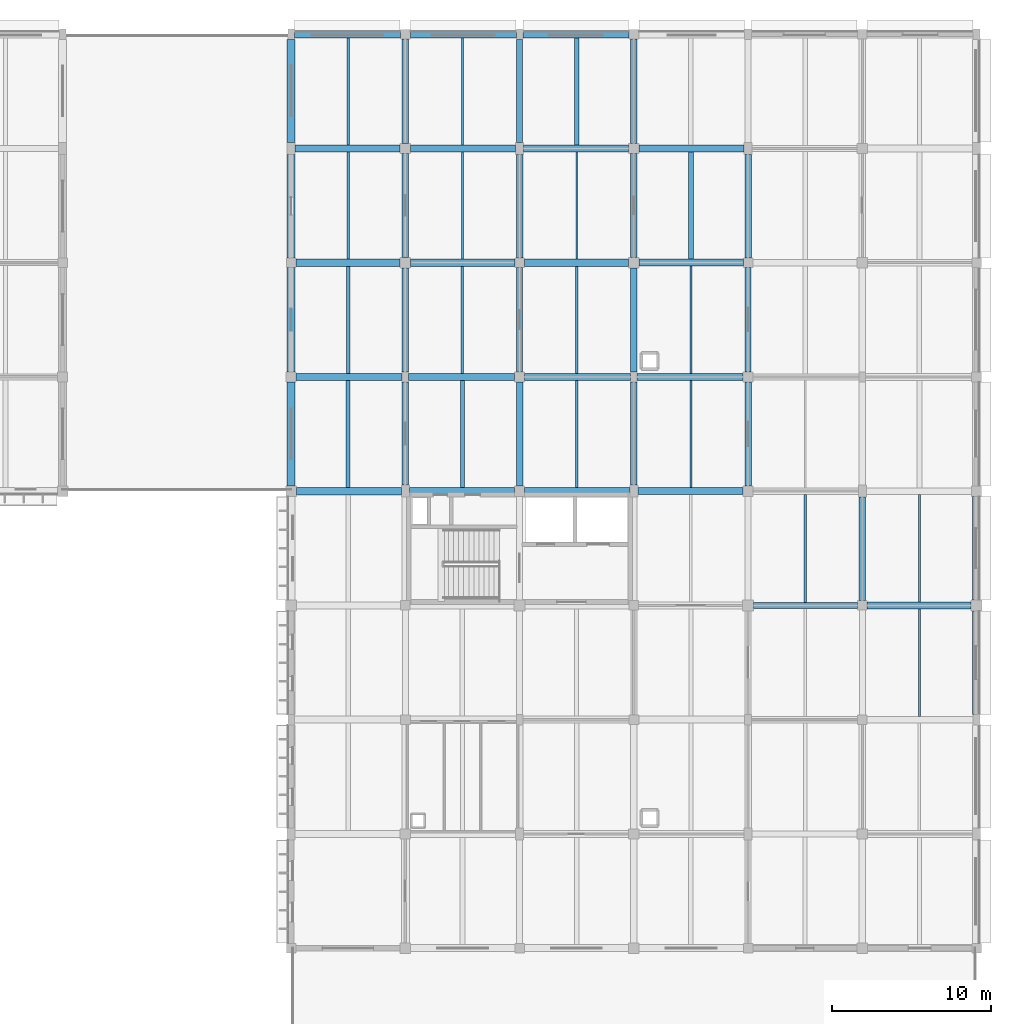
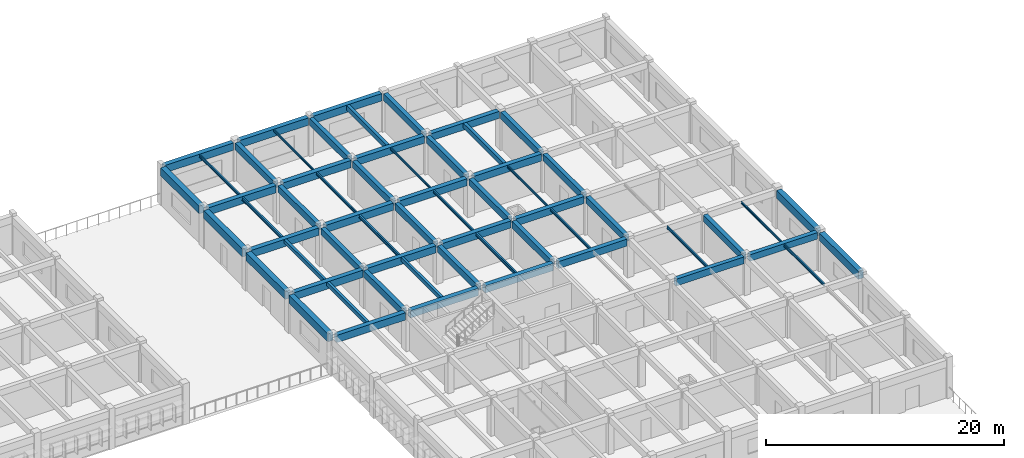
# One storey, part 64 of 103: 61 beams.
"""IFC4 building model written with IfcOpenShell, lengths in metres."""

from ifc_helpers import new_model, si_unit, direction, frame, origin, origin_2d, place, context, subcontext, project, spatial, rectangle, i_section, extrude, material, material_profile, profile_set, type_object, element, save


model = new_model("IFC4")

# Units and contexts
model_context = context("Model", 3, precision=1e-05, world=origin(), true_north=direction((0.0, 1.0)))
body_context = subcontext(model_context, "Body", "Model", "MODEL_VIEW")
ifc_project = project(units=[si_unit("LENGTHUNIT", "METRE"), si_unit("AREAUNIT", "SQUARE_METRE"), si_unit("VOLUMEUNIT", "CUBIC_METRE"), si_unit("PLANEANGLEUNIT", "RADIAN"), si_unit("MASSUNIT", "GRAM", prefix="KILO")], contexts=[model_context])

# Site, building, storey
site_placement = place(None, origin())
site = spatial("IfcSite", under=ifc_project, at=site_placement, CompositionType="ELEMENT")
building_placement = place(site_placement, origin())
building = spatial("IfcBuilding", under=site, at=building_placement, Name="Thalmaran Polytechnic", CompositionType="ELEMENT")
storey_placement = place(building_placement, frame((0.0, 0.0, 14.39990234375)))
storey = spatial("IfcBuildingStorey", under=building, at=storey_placement, Name="L03", CompositionType="ELEMENT", Elevation=14.39990234375)

# Beams
ifc_material_1 = material(Name="Concrete C40/50", Category="concrete")
ifc_material_profile_1 = material_profile(ifc_material_1, rectangle(XDim=0.449951171875, YDim=0.75, at=origin_2d()), Name="RC 450x750")
ifc_profile_set_1 = profile_set([ifc_material_profile_1], Name="Concrete C40/50")
beam_type_1 = type_object("IfcBeamType", Name="BM-RC03", PredefinedType="BEAM", material=ifc_profile_set_1)
beam_1_placement = place(storey_placement, frame((129.925048828125, 93.60009765625, 3.5400390625), z_axis=(1.0, 0.0, 0.0), x_axis=(0.0, 1.0, 0.0)))
element("IfcBeam", 1, at=beam_1_placement, inside=storey, type_object=beam_type_1, Name="Grid Beam B03 L03 X(18,13)", PredefinedType="BEAM", context=body_context, shape_type="SweptSolid", body=[
    extrude(rectangle(XDim=0.449951171875, YDim=0.75, at=origin_2d()), origin(), (0.0, 0.0, 1.0), 6.625),
])
beam_2_placement = place(storey_placement, frame((129.909912109375, 100.800048828125, 3.5400390625), z_axis=(1.0, 0.0, 0.0), x_axis=(0.0, 1.0, 0.0)))
element("IfcBeam", 2, at=beam_2_placement, inside=storey, type_object=beam_type_1, Name="Grid Beam B03 L03 X(18,14)", PredefinedType="BEAM", context=body_context, shape_type="SweptSolid", body=[
    extrude(rectangle(XDim=0.449951171875, YDim=0.75, at=origin_2d()), origin(), (0.0, 0.0, 1.0), 6.68017578125),
])
beam_3_placement = place(storey_placement, frame((129.89990234375, 108.0, 3.5400390625), z_axis=(1.0, 0.0, 0.0), x_axis=(0.0, 1.0, 0.0)))
element("IfcBeam", 3, at=beam_3_placement, inside=storey, type_object=beam_type_1, Name="Grid Beam B03 L03 X(18,15)", PredefinedType="BEAM", context=body_context, shape_type="SweptSolid", body=[
    extrude(rectangle(XDim=0.449951171875, YDim=0.75, at=origin_2d()), origin(), (0.0, 0.0, 1.0), 6.56005859375),
])
beam_4_placement = place(storey_placement, frame((129.85009765625, 115.199951171875, 3.5400390625), z_axis=(1.0, 0.0, 0.0), x_axis=(0.0, 1.0, 0.0)))
element("IfcBeam", 4, at=beam_4_placement, inside=storey, type_object=beam_type_1, Name="Grid Beam B03 L03 X(18,16)", PredefinedType="BEAM", context=body_context, shape_type="SweptSolid", body=[
    extrude(rectangle(XDim=0.449951171875, YDim=0.75, at=origin_2d()), origin(), (0.0, 0.0, 1.0), 6.625),
])
ifc_material_profile_2 = material_profile(ifc_material_1, rectangle(XDim=0.449951171875, YDim=0.72509765625, at=origin_2d()), Name="RC 450x725")
ifc_profile_set_2 = profile_set([ifc_material_profile_2], Name="Concrete C40/50")
beam_type_2 = type_object("IfcBeamType", Name="BM-RC04", PredefinedType="BEAM", material=ifc_profile_set_2)
beam_5_placement = place(storey_placement, frame((144.324951171875, 93.60009765625, 3.57763671875), z_axis=(1.0, 0.0, 0.0), x_axis=(0.0, 1.0, 0.0)))
element("IfcBeam", 5, at=beam_5_placement, inside=storey, type_object=beam_type_2, Name="Grid Beam B04 L03 X(20,13)", PredefinedType="BEAM", context=body_context, shape_type="SweptSolid", body=[
    extrude(rectangle(XDim=0.449951171875, YDim=0.72509765625, at=origin_2d()), origin(), (0.0, 0.0, 1.0), 6.625),
])
beam_6_placement = place(storey_placement, frame((144.31005859375, 100.800048828125, 3.57763671875), z_axis=(1.0, 0.0, 0.0), x_axis=(0.0, 1.0, 0.0)))
element("IfcBeam", 6, at=beam_6_placement, inside=storey, type_object=beam_type_2, Name="Grid Beam B04 L03 X(20,14)", PredefinedType="BEAM", context=body_context, shape_type="SweptSolid", body=[
    extrude(rectangle(XDim=0.449951171875, YDim=0.72509765625, at=origin_2d()), origin(), (0.0, 0.0, 1.0), 6.679931640625),
])
beam_7_placement = place(storey_placement, frame((144.300048828125, 108.0, 3.57763671875), z_axis=(1.0, 0.0, 0.0), x_axis=(0.0, 1.0, 0.0)))
element("IfcBeam", 7, at=beam_7_placement, inside=storey, type_object=beam_type_2, Name="Grid Beam B04 L03 X(20,15)", PredefinedType="BEAM", context=body_context, shape_type="SweptSolid", body=[
    extrude(rectangle(XDim=0.449951171875, YDim=0.72509765625, at=origin_2d()), origin(), (0.0, 0.0, 1.0), 6.56005859375),
])
beam_8_placement = place(storey_placement, frame((144.25, 115.199951171875, 3.57763671875), z_axis=(1.0, 0.0, 0.0), x_axis=(0.0, 1.0, 0.0)))
element("IfcBeam", 8, at=beam_8_placement, inside=storey, type_object=beam_type_2, Name="Grid Beam B04 L03 X(20,16)", PredefinedType="BEAM", context=body_context, shape_type="SweptSolid", body=[
    extrude(rectangle(XDim=0.449951171875, YDim=0.72509765625, at=origin_2d()), origin(), (0.0, 0.0, 1.0), 6.625),
])
ifc_material_profile_3 = material_profile(ifc_material_1, rectangle(XDim=0.39990234375, YDim=0.699951171875, at=origin_2d()), Name="RC 400x700")
ifc_profile_set_3 = profile_set([ifc_material_profile_3], Name="Concrete C40/50")
beam_type_3 = type_object("IfcBeamType", Name="BM-RC05", PredefinedType="BEAM", material=ifc_profile_set_3)
beam_9_placement = place(storey_placement, frame((158.739990234375, 86.39990234375, 3.590087890625), z_axis=(1.0, 0.0, 0.0), x_axis=(0.0, 1.0, 0.0)))
element("IfcBeam", 9, at=beam_9_placement, inside=storey, type_object=beam_type_3, Name="Grid Beam B05 L03 X(22,12)", PredefinedType="BEAM", context=body_context, shape_type="SweptSolid", body=[
    extrude(rectangle(XDim=0.39990234375, YDim=0.699951171875, at=origin_2d()), origin(), (0.0, 0.0, 1.0), 6.56005859375),
])
ifc_material_profile_4 = material_profile(ifc_material_1, rectangle(XDim=0.389892578125, YDim=0.68505859375, at=origin_2d()), Name="RC 390x685")
ifc_profile_set_4 = profile_set([ifc_material_profile_4], Name="Concrete C40/50")
beam_type_4 = type_object("IfcBeamType", Name="BM-RC08", PredefinedType="BEAM", material=ifc_profile_set_4)
beam_10_placement = place(storey_placement, frame((165.60009765625, 86.699951171875, 3.59765625), z_axis=(0.0, 1.0, 0.0), x_axis=(-1.0, 0.0, 0.0)))
element("IfcBeam", 10, at=beam_10_placement, inside=storey, type_object=beam_type_4, Name="Grid Beam B08 L03 Y(23,12)", PredefinedType="BEAM", context=body_context, shape_type="SweptSolid", body=[
    extrude(rectangle(XDim=0.389892578125, YDim=0.68505859375, at=origin_2d()), origin(), (0.0, 0.0, 1.0), 6.525146484375),
])
ifc_material_profile_5 = material_profile(ifc_material_1, rectangle(XDim=0.389892578125, YDim=0.68994140625, at=origin_2d()), Name="RC 390x690")
ifc_profile_set_5 = profile_set([ifc_material_profile_5], Name="Concrete C40/50")
beam_type_5 = type_object("IfcBeamType", Name="BM-RC09", PredefinedType="BEAM", material=ifc_profile_set_5)
beam_11_placement = place(storey_placement, frame((136.800048828125, 101.1201171875, 3.570068359375), z_axis=(0.0, 1.0, 0.0), x_axis=(-1.0, 0.0, 0.0)))
element("IfcBeam", 11, at=beam_11_placement, inside=storey, type_object=beam_type_5, Name="Grid Beam B09 L03 Y(19,14)", PredefinedType="BEAM", context=body_context, shape_type="SweptSolid", body=[
    extrude(rectangle(XDim=0.389892578125, YDim=0.68994140625, at=origin_2d()), origin(), (0.0, 0.0, 1.0), 6.539794921875),
])
beam_12_placement = place(storey_placement, frame((144.0, 101.110107421875, 3.59521484375), z_axis=(0.0, 1.0, 0.0), x_axis=(-1.0, 0.0, 0.0)))
element("IfcBeam", 12, at=beam_12_placement, inside=storey, type_object=beam_type_5, Name="Grid Beam B09 L03 Y(20,14)", PredefinedType="BEAM", context=body_context, shape_type="SweptSolid", body=[
    extrude(rectangle(XDim=0.389892578125, YDim=0.68994140625, at=origin_2d()), origin(), (0.0, 0.0, 1.0), 6.58984375),
])
beam_13_placement = place(storey_placement, frame((151.199951171875, 101.1201171875, 3.59521484375), z_axis=(0.0, 1.0, 0.0), x_axis=(-1.0, 0.0, 0.0)))
element("IfcBeam", 13, at=beam_13_placement, inside=storey, type_object=beam_type_5, Name="Grid Beam B09 L03 Y(21,14)", PredefinedType="BEAM", context=body_context, shape_type="SweptSolid", body=[
    extrude(rectangle(XDim=0.389892578125, YDim=0.68994140625, at=origin_2d()), origin(), (0.0, 0.0, 1.0), 6.539794921875),
])
beam_14_placement = place(storey_placement, frame((158.39990234375, 101.110107421875, 3.59521484375), z_axis=(0.0, 1.0, 0.0), x_axis=(-1.0, 0.0, 0.0)))
element("IfcBeam", 14, at=beam_14_placement, inside=storey, type_object=beam_type_5, Name="Grid Beam B09 L03 Y(22,14)", PredefinedType="BEAM", context=body_context, shape_type="SweptSolid", body=[
    extrude(rectangle(XDim=0.389892578125, YDim=0.68994140625, at=origin_2d()), origin(), (0.0, 0.0, 1.0), 6.58984375),
])
ifc_material_profile_6 = material_profile(ifc_material_1, rectangle(XDim=0.389892578125, YDim=0.695068359375, at=origin_2d()), Name="RC 390x695")
ifc_profile_set_6 = profile_set([ifc_material_profile_6], Name="Concrete C40/50")
beam_type_6 = type_object("IfcBeamType", Name="BM-RC10", PredefinedType="BEAM", material=ifc_profile_set_6)
beam_15_placement = place(storey_placement, frame((136.800048828125, 115.52490234375, 3.567626953125), z_axis=(0.0, 1.0, 0.0), x_axis=(-1.0, 0.0, 0.0)))
element("IfcBeam", 15, at=beam_15_placement, inside=storey, type_object=beam_type_6, Name="Grid Beam B10 L03 Y(19,16)", PredefinedType="BEAM", context=body_context, shape_type="SweptSolid", body=[
    extrude(rectangle(XDim=0.389892578125, YDim=0.695068359375, at=origin_2d()), origin(), (0.0, 0.0, 1.0), 6.565185546875),
])
beam_16_placement = place(storey_placement, frame((144.0, 115.574951171875, 3.592529296875), z_axis=(0.0, 1.0, 0.0), x_axis=(-1.0, 0.0, 0.0)))
element("IfcBeam", 16, at=beam_16_placement, inside=storey, type_object=beam_type_6, Name="Grid Beam B10 L03 Y(20,16)", PredefinedType="BEAM", context=body_context, shape_type="SweptSolid", body=[
    extrude(rectangle(XDim=0.389892578125, YDim=0.695068359375, at=origin_2d()), origin(), (0.0, 0.0, 1.0), 6.505126953125),
])
beam_17_placement = place(storey_placement, frame((151.199951171875, 115.52490234375, 3.592529296875), z_axis=(0.0, 1.0, 0.0), x_axis=(-1.0, 0.0, 0.0)))
element("IfcBeam", 17, at=beam_17_placement, inside=storey, type_object=beam_type_6, Name="Grid Beam B10 L03 Y(21,16)", PredefinedType="BEAM", context=body_context, shape_type="SweptSolid", body=[
    extrude(rectangle(XDim=0.389892578125, YDim=0.695068359375, at=origin_2d()), origin(), (0.0, 0.0, 1.0), 6.565185546875),
])
ifc_material_profile_7 = material_profile(ifc_material_1, rectangle(XDim=0.300048828125, YDim=0.5, at=origin_2d()), Name="RC 300x500")
ifc_profile_set_7 = profile_set([ifc_material_profile_7], Name="Concrete C40/50")
beam_type_7 = type_object("IfcBeamType", Name="BM-RC11", PredefinedType="JOIST", material=ifc_profile_set_7)
beam_18_placement = place(storey_placement, frame((147.60009765625, 115.425048828125, 3.690185546875), z_axis=(0.0, 1.0, 0.0), x_axis=(-1.0, 0.0, 0.0)))
element("IfcBeam", 18, at=beam_18_placement, inside=storey, type_object=beam_type_7, Name="Secondary Floor Rib RB01 L03 (20,16)", PredefinedType="JOIST", context=body_context, shape_type="SweptSolid", body=[
    extrude(rectangle(XDim=0.300048828125, YDim=0.5, at=origin_2d()), origin(), (0.0, 0.0, 1.0), 6.75),
])
beam_19_placement = place(storey_placement, frame((154.800048828125, 108.219970703125, 3.690185546875), z_axis=(0.0, 1.0, 0.0), x_axis=(-1.0, 0.0, 0.0)))
element("IfcBeam", 19, at=beam_19_placement, inside=storey, type_object=beam_type_7, Name="Secondary Floor Rib RB01 L03 (21,15)", PredefinedType="JOIST", context=body_context, shape_type="SweptSolid", body=[
    extrude(rectangle(XDim=0.300048828125, YDim=0.5, at=origin_2d()), origin(), (0.0, 0.0, 1.0), 6.760009765625),
])
ifc_material_2 = material(Name="Steel S355", Category="steel")
ifc_material_profile_8 = material_profile(ifc_material_2, i_section(OverallWidth=0.159912109375, OverallDepth=0.330078125, WebThickness=0.007568359375, FlangeThickness=0.011474609375, at=origin_2d()), Name="IPE 330")
ifc_profile_set_8 = profile_set([ifc_material_profile_8], Name="Steel S355")
beam_type_8 = type_object("IfcBeamType", Name="BM-SJ02", PredefinedType="JOIST", material=ifc_profile_set_8)
beam_20_placement = place(storey_placement, frame((133.199951171875, 108.22509765625, 3.75), z_axis=(0.0, 1.0, 0.0), x_axis=(-1.0, 0.0, 0.0)))
element("IfcBeam", 20, at=beam_20_placement, inside=storey, type_object=beam_type_8, Name="Secondary Floor Rib SJ02 L03 (18,15)", PredefinedType="JOIST", context=body_context, shape_type="SweptSolid", body=[
    extrude(i_section(OverallWidth=0.159912109375, OverallDepth=0.330078125, WebThickness=0.007568359375, FlangeThickness=0.011474609375, at=origin_2d()), origin(), (0.0, 0.0, 1.0), 6.75),
])
beam_21_placement = place(storey_placement, frame((140.39990234375, 101.030029296875, 3.775146484375), z_axis=(0.0, 1.0, 0.0), x_axis=(-1.0, 0.0, 0.0)))
element("IfcBeam", 21, at=beam_21_placement, inside=storey, type_object=beam_type_8, Name="Secondary Floor Rib SJ02 L03 (19,14)", PredefinedType="JOIST", context=body_context, shape_type="SweptSolid", body=[
    extrude(i_section(OverallWidth=0.159912109375, OverallDepth=0.330078125, WebThickness=0.007568359375, FlangeThickness=0.011474609375, at=origin_2d()), origin(), (0.0, 0.0, 1.0), 6.739990234375),
])
beam_22_placement = place(storey_placement, frame((147.60009765625, 93.824951171875, 3.775146484375), z_axis=(0.0, 1.0, 0.0), x_axis=(-1.0, 0.0, 0.0)))
element("IfcBeam", 22, at=beam_22_placement, inside=storey, type_object=beam_type_8, Name="Secondary Floor Rib SJ02 L03 (20,13)", PredefinedType="JOIST", context=body_context, shape_type="SweptSolid", body=[
    extrude(i_section(OverallWidth=0.159912109375, OverallDepth=0.330078125, WebThickness=0.007568359375, FlangeThickness=0.011474609375, at=origin_2d()), origin(), (0.0, 0.0, 1.0), 6.75),
])
ifc_material_profile_9 = material_profile(ifc_material_2, i_section(OverallWidth=0.135009765625, OverallDepth=0.27001953125, WebThickness=0.006591796875, FlangeThickness=0.01025390625, at=origin_2d()), Name="IPE 270")
ifc_profile_set_9 = profile_set([ifc_material_profile_9], Name="Steel S355")
beam_type_9 = type_object("IfcBeamType", Name="BM-SJ03", PredefinedType="JOIST", material=ifc_profile_set_9)
beam_23_placement = place(storey_placement, frame((133.199951171875, 115.425048828125, 3.780029296875), z_axis=(0.0, 1.0, 0.0), x_axis=(-1.0, 0.0, 0.0)))
element("IfcBeam", 23, at=beam_23_placement, inside=storey, type_object=beam_type_9, Name="Secondary Floor Rib SJ03 L03 (18,16)", PredefinedType="JOIST", context=body_context, shape_type="SweptSolid", body=[
    extrude(i_section(OverallWidth=0.135009765625, OverallDepth=0.27001953125, WebThickness=0.006591796875, FlangeThickness=0.01025390625, at=origin_2d()), origin(), (0.0, 0.0, 1.0), 6.75),
])
beam_24_placement = place(storey_placement, frame((140.39990234375, 108.22998046875, 3.80517578125), z_axis=(0.0, 1.0, 0.0), x_axis=(-1.0, 0.0, 0.0)))
element("IfcBeam", 24, at=beam_24_placement, inside=storey, type_object=beam_type_9, Name="Secondary Floor Rib SJ03 L03 (19,15)", PredefinedType="JOIST", context=body_context, shape_type="SweptSolid", body=[
    extrude(i_section(OverallWidth=0.135009765625, OverallDepth=0.27001953125, WebThickness=0.006591796875, FlangeThickness=0.01025390625, at=origin_2d()), origin(), (0.0, 0.0, 1.0), 6.739990234375),
])
beam_25_placement = place(storey_placement, frame((147.60009765625, 101.02490234375, 3.80517578125), z_axis=(0.0, 1.0, 0.0), x_axis=(-1.0, 0.0, 0.0)))
element("IfcBeam", 25, at=beam_25_placement, inside=storey, type_object=beam_type_9, Name="Secondary Floor Rib SJ03 L03 (20,14)", PredefinedType="JOIST", context=body_context, shape_type="SweptSolid", body=[
    extrude(i_section(OverallWidth=0.135009765625, OverallDepth=0.27001953125, WebThickness=0.006591796875, FlangeThickness=0.01025390625, at=origin_2d()), origin(), (0.0, 0.0, 1.0), 6.75),
])
beam_26_placement = place(storey_placement, frame((154.800048828125, 93.820068359375, 3.80517578125), z_axis=(0.0, 1.0, 0.0), x_axis=(-1.0, 0.0, 0.0)))
element("IfcBeam", 26, at=beam_26_placement, inside=storey, type_object=beam_type_9, Name="Secondary Floor Rib SJ03 L03 (21,13)", PredefinedType="JOIST", context=body_context, shape_type="SweptSolid", body=[
    extrude(i_section(OverallWidth=0.135009765625, OverallDepth=0.27001953125, WebThickness=0.006591796875, FlangeThickness=0.01025390625, at=origin_2d()), origin(), (0.0, 0.0, 1.0), 6.760009765625),
])
beam_27_placement = place(storey_placement, frame((162.0, 86.60009765625, 3.80517578125), z_axis=(0.0, 1.0, 0.0), x_axis=(-1.0, 0.0, 0.0)))
element("IfcBeam", 27, at=beam_27_placement, inside=storey, type_object=beam_type_9, Name="Secondary Floor Rib SJ03 L03 (22,12)", PredefinedType="JOIST", context=body_context, shape_type="SweptSolid", body=[
    extrude(i_section(OverallWidth=0.135009765625, OverallDepth=0.27001953125, WebThickness=0.006591796875, FlangeThickness=0.01025390625, at=origin_2d()), origin(), (0.0, 0.0, 1.0), 6.7998046875),
])
beam_28_placement = place(storey_placement, frame((169.199951171875, 79.409912109375, 3.80517578125), z_axis=(0.0, 1.0, 0.0), x_axis=(-1.0, 0.0, 0.0)))
element("IfcBeam", 28, at=beam_28_placement, inside=storey, type_object=beam_type_9, Name="Secondary Floor Rib SJ03 L03 (23,11)", PredefinedType="JOIST", context=body_context, shape_type="SweptSolid", body=[
    extrude(i_section(OverallWidth=0.135009765625, OverallDepth=0.27001953125, WebThickness=0.006591796875, FlangeThickness=0.01025390625, at=origin_2d()), origin(), (0.0, 0.0, 1.0), 6.780029296875),
])
ifc_material_profile_10 = material_profile(ifc_material_2, i_section(OverallWidth=0.110107421875, OverallDepth=0.219970703125, WebThickness=0.005859375, FlangeThickness=0.00927734375, at=origin_2d()), Name="IPE 220")
ifc_profile_set_10 = profile_set([ifc_material_profile_10], Name="Steel S355")
beam_type_10 = type_object("IfcBeamType", Name="BM-SJ04", PredefinedType="JOIST", material=ifc_profile_set_10)
beam_29_placement = place(storey_placement, frame((140.39990234375, 115.429931640625, 3.830078125), z_axis=(0.0, 1.0, 0.0), x_axis=(-1.0, 0.0, 0.0)))
element("IfcBeam", 29, at=beam_29_placement, inside=storey, type_object=beam_type_10, Name="Secondary Floor Rib SJ04 L03 (19,16)", PredefinedType="JOIST", context=body_context, shape_type="SweptSolid", body=[
    extrude(i_section(OverallWidth=0.110107421875, OverallDepth=0.219970703125, WebThickness=0.005859375, FlangeThickness=0.00927734375, at=origin_2d()), origin(), (0.0, 0.0, 1.0), 6.7451171875),
])
beam_30_placement = place(storey_placement, frame((147.60009765625, 108.22509765625, 3.830078125), z_axis=(0.0, 1.0, 0.0), x_axis=(-1.0, 0.0, 0.0)))
element("IfcBeam", 30, at=beam_30_placement, inside=storey, type_object=beam_type_10, Name="Secondary Floor Rib SJ04 L03 (20,15)", PredefinedType="JOIST", context=body_context, shape_type="SweptSolid", body=[
    extrude(i_section(OverallWidth=0.110107421875, OverallDepth=0.219970703125, WebThickness=0.005859375, FlangeThickness=0.00927734375, at=origin_2d()), origin(), (0.0, 0.0, 1.0), 6.75),
])
beam_31_placement = place(storey_placement, frame((154.800048828125, 101.02001953125, 3.830078125), z_axis=(0.0, 1.0, 0.0), x_axis=(-1.0, 0.0, 0.0)))
element("IfcBeam", 31, at=beam_31_placement, inside=storey, type_object=beam_type_10, Name="Secondary Floor Rib SJ04 L03 (21,14)", PredefinedType="JOIST", context=body_context, shape_type="SweptSolid", body=[
    extrude(i_section(OverallWidth=0.110107421875, OverallDepth=0.219970703125, WebThickness=0.005859375, FlangeThickness=0.00927734375, at=origin_2d()), origin(), (0.0, 0.0, 1.0), 6.760009765625),
])
beam_32_placement = place(storey_placement, frame((169.199951171875, 86.610107421875, 3.830078125), z_axis=(0.0, 1.0, 0.0), x_axis=(-1.0, 0.0, 0.0)))
element("IfcBeam", 32, at=beam_32_placement, inside=storey, type_object=beam_type_10, Name="Secondary Floor Rib SJ04 L03 (23,12)", PredefinedType="JOIST", context=body_context, shape_type="SweptSolid", body=[
    extrude(i_section(OverallWidth=0.110107421875, OverallDepth=0.219970703125, WebThickness=0.005859375, FlangeThickness=0.00927734375, at=origin_2d()), origin(), (0.0, 0.0, 1.0), 6.77978515625),
])
ifc_material_profile_11 = material_profile(ifc_material_1, rectangle(XDim=0.449951171875, YDim=0.7548828125, at=origin_2d()), Name="RC 450x755")
ifc_profile_set_11 = profile_set([ifc_material_profile_11], Name="Concrete C40/50")
beam_type_11 = type_object("IfcBeamType", Name="BM-SP02", PredefinedType="SPANDREL", material=ifc_profile_set_11)
for number, where, z_axis, x_axis, name in (
    (33, (129.81005859375, 122.39990234375, 3.53759765625), (1.0, 0.0, 0.0), (0.0, 1.0, 0.0), "Grid Beam SP02 L03 X(18,17)"),
    (34, (137.110107421875, 122.39990234375, 3.5625), (1.0, 0.0, 0.0), (0.0, 1.0, 0.0), "Grid Beam SP02 L03 X(19,17)"),
    (35, (144.2099609375, 122.39990234375, 3.5625), (1.0, 0.0, 0.0), (0.0, 1.0, 0.0), "Grid Beam SP02 L03 X(20,17)"),
):
    element("IfcBeam", number, at=place(storey_placement, frame(where, z_axis=z_axis, x_axis=x_axis)), inside=storey, type_object=beam_type_11, Name=name, PredefinedType="SPANDREL", context=body_context, shape_type="SweptSolid", body=[
        extrude(rectangle(XDim=0.449951171875, YDim=0.7548828125, at=origin_2d()), origin(), (0.0, 0.0, 1.0), 6.679931640625),
    ])
ifc_material_profile_12 = material_profile(ifc_material_1, rectangle(XDim=0.5, YDim=0.804931640625, at=origin_2d()), Name="RC 500x805")
ifc_profile_set_12 = profile_set([ifc_material_profile_12], Name="Concrete C40/50")
beam_type_12 = type_object("IfcBeamType", Name="BM-SP03", PredefinedType="SPANDREL", material=ifc_profile_set_12)
beam_33_placement = place(storey_placement, frame((129.60009765625, 93.925048828125, 3.5126953125), z_axis=(0.0, 1.0, 0.0), x_axis=(-1.0, 0.0, 0.0)))
element("IfcBeam", 36, at=beam_33_placement, inside=storey, type_object=beam_type_12, Name="Grid Beam SP03 L03 Y(18,13)", PredefinedType="SPANDREL", context=body_context, shape_type="SweptSolid", body=[
    extrude(rectangle(XDim=0.5, YDim=0.804931640625, at=origin_2d()), origin(), (0.0, 0.0, 1.0), 6.56494140625),
])
beam_34_placement = place(storey_placement, frame((129.60009765625, 101.110107421875, 3.5126953125), z_axis=(0.0, 1.0, 0.0), x_axis=(-1.0, 0.0, 0.0)))
element("IfcBeam", 37, at=beam_34_placement, inside=storey, type_object=beam_type_12, Name="Grid Beam SP03 L03 Y(18,14)", PredefinedType="SPANDREL", context=body_context, shape_type="SweptSolid", body=[
    extrude(rectangle(XDim=0.5, YDim=0.804931640625, at=origin_2d()), origin(), (0.0, 0.0, 1.0), 6.58984375),
])
beam_35_placement = place(storey_placement, frame((129.60009765625, 108.300048828125, 3.5126953125), z_axis=(0.0, 1.0, 0.0), x_axis=(-1.0, 0.0, 0.0)))
element("IfcBeam", 38, at=beam_35_placement, inside=storey, type_object=beam_type_12, Name="Grid Beam SP03 L03 Y(18,15)", PredefinedType="SPANDREL", context=body_context, shape_type="SweptSolid", body=[
    extrude(rectangle(XDim=0.5, YDim=0.804931640625, at=origin_2d()), origin(), (0.0, 0.0, 1.0), 6.52490234375),
])
beam_36_placement = place(storey_placement, frame((129.60009765625, 115.574951171875, 3.5126953125), z_axis=(0.0, 1.0, 0.0), x_axis=(-1.0, 0.0, 0.0)))
element("IfcBeam", 39, at=beam_36_placement, inside=storey, type_object=beam_type_12, Name="Grid Beam SP03 L03 Y(18,16)", PredefinedType="SPANDREL", context=body_context, shape_type="SweptSolid", body=[
    extrude(rectangle(XDim=0.5, YDim=0.804931640625, at=origin_2d()), origin(), (0.0, 0.0, 1.0), 6.505126953125),
])
beam_37_placement = place(storey_placement, frame((172.800048828125, 79.52001953125, 3.53759765625), z_axis=(0.0, 1.0, 0.0), x_axis=(-1.0, 0.0, 0.0)))
element("IfcBeam", 40, at=beam_37_placement, inside=storey, type_object=beam_type_12, Name="Grid Beam SP03 L03 Y(24,11)", PredefinedType="SPANDREL", context=body_context, shape_type="SweptSolid", body=[
    extrude(rectangle(XDim=0.5, YDim=0.804931640625, at=origin_2d()), origin(), (0.0, 0.0, 1.0), 6.5400390625),
])
beam_38_placement = place(storey_placement, frame((172.800048828125, 86.739990234375, 3.53759765625), z_axis=(0.0, 1.0, 0.0), x_axis=(-1.0, 0.0, 0.0)))
element("IfcBeam", 41, at=beam_38_placement, inside=storey, type_object=beam_type_12, Name="Grid Beam SP03 L03 Y(24,12)", PredefinedType="SPANDREL", context=body_context, shape_type="SweptSolid", body=[
    extrude(rectangle(XDim=0.5, YDim=0.804931640625, at=origin_2d()), origin(), (0.0, 0.0, 1.0), 6.534912109375),
])
ifc_material_profile_13 = material_profile(ifc_material_1, rectangle(XDim=0.4599609375, YDim=0.739990234375, at=origin_2d()), Name="RC 460x740")
ifc_profile_set_13 = profile_set([ifc_material_profile_13], Name="Concrete C40/50")
beam_type_13 = type_object("IfcBeamType", Name="BM-ZB02", PredefinedType="BEAM", material=ifc_profile_set_13)
beam_39_placement = place(storey_placement, frame((137.050048828125, 93.60009765625, 3.570068359375), z_axis=(1.0, 0.0, 0.0), x_axis=(0.0, 1.0, 0.0)))
element("IfcBeam", 42, at=beam_39_placement, inside=storey, type_object=beam_type_13, Name="Grid Beam ZB02 L03 X(19,13)", PredefinedType="BEAM", context=body_context, shape_type="SweptSolid", body=[
    extrude(rectangle(XDim=0.4599609375, YDim=0.739990234375, at=origin_2d()), origin(), (0.0, 0.0, 1.0), 6.625),
])
beam_40_placement = place(storey_placement, frame((137.010009765625, 100.800048828125, 3.570068359375), z_axis=(1.0, 0.0, 0.0), x_axis=(0.0, 1.0, 0.0)))
element("IfcBeam", 43, at=beam_40_placement, inside=storey, type_object=beam_type_13, Name="Grid Beam ZB02 L03 X(19,14)", PredefinedType="BEAM", context=body_context, shape_type="SweptSolid", body=[
    extrude(rectangle(XDim=0.4599609375, YDim=0.739990234375, at=origin_2d()), origin(), (0.0, 0.0, 1.0), 6.679931640625),
])
beam_41_placement = place(storey_placement, frame((137.139892578125, 108.0, 3.570068359375), z_axis=(1.0, 0.0, 0.0), x_axis=(0.0, 1.0, 0.0)))
element("IfcBeam", 44, at=beam_41_placement, inside=storey, type_object=beam_type_13, Name="Grid Beam ZB02 L03 X(19,15)", PredefinedType="BEAM", context=body_context, shape_type="SweptSolid", body=[
    extrude(rectangle(XDim=0.4599609375, YDim=0.739990234375, at=origin_2d()), origin(), (0.0, 0.0, 1.0), 6.56005859375),
])
beam_42_placement = place(storey_placement, frame((137.125, 115.199951171875, 3.570068359375), z_axis=(1.0, 0.0, 0.0), x_axis=(0.0, 1.0, 0.0)))
element("IfcBeam", 45, at=beam_42_placement, inside=storey, type_object=beam_type_13, Name="Grid Beam ZB02 L03 X(19,16)", PredefinedType="BEAM", context=body_context, shape_type="SweptSolid", body=[
    extrude(rectangle(XDim=0.4599609375, YDim=0.739990234375, at=origin_2d()), origin(), (0.0, 0.0, 1.0), 6.625),
])
ifc_material_profile_14 = material_profile(ifc_material_1, rectangle(XDim=0.43994140625, YDim=0.719970703125, at=origin_2d()), Name="RC 440x720")
ifc_profile_set_14 = profile_set([ifc_material_profile_14], Name="Concrete C40/50")
beam_type_14 = type_object("IfcBeamType", Name="BM-ZB03", PredefinedType="BEAM", material=ifc_profile_set_14)
beam_43_placement = place(storey_placement, frame((151.449951171875, 93.60009765625, 3.580078125), z_axis=(1.0, 0.0, 0.0), x_axis=(0.0, 1.0, 0.0)))
element("IfcBeam", 46, at=beam_43_placement, inside=storey, type_object=beam_type_14, Name="Grid Beam ZB03 L03 X(21,13)", PredefinedType="BEAM", context=body_context, shape_type="SweptSolid", body=[
    extrude(rectangle(XDim=0.43994140625, YDim=0.719970703125, at=origin_2d()), origin(), (0.0, 0.0, 1.0), 6.625),
])
beam_44_placement = place(storey_placement, frame((151.409912109375, 100.800048828125, 3.580078125), z_axis=(1.0, 0.0, 0.0), x_axis=(0.0, 1.0, 0.0)))
element("IfcBeam", 47, at=beam_44_placement, inside=storey, type_object=beam_type_14, Name="Grid Beam ZB03 L03 X(21,14)", PredefinedType="BEAM", context=body_context, shape_type="SweptSolid", body=[
    extrude(rectangle(XDim=0.43994140625, YDim=0.719970703125, at=origin_2d()), origin(), (0.0, 0.0, 1.0), 6.68017578125),
])
beam_45_placement = place(storey_placement, frame((151.5400390625, 108.0, 3.580078125), z_axis=(1.0, 0.0, 0.0), x_axis=(0.0, 1.0, 0.0)))
element("IfcBeam", 48, at=beam_45_placement, inside=storey, type_object=beam_type_14, Name="Grid Beam ZB03 L03 X(21,15)", PredefinedType="BEAM", context=body_context, shape_type="SweptSolid", body=[
    extrude(rectangle(XDim=0.43994140625, YDim=0.719970703125, at=origin_2d()), origin(), (0.0, 0.0, 1.0), 6.56005859375),
])
beam_46_placement = place(storey_placement, frame((151.52490234375, 115.199951171875, 3.580078125), z_axis=(1.0, 0.0, 0.0), x_axis=(0.0, 1.0, 0.0)))
element("IfcBeam", 49, at=beam_46_placement, inside=storey, type_object=beam_type_14, Name="Grid Beam ZB03 L03 X(21,16)", PredefinedType="BEAM", context=body_context, shape_type="SweptSolid", body=[
    extrude(rectangle(XDim=0.43994140625, YDim=0.719970703125, at=origin_2d()), origin(), (0.0, 0.0, 1.0), 6.625),
])
ifc_material_profile_15 = material_profile(ifc_material_1, rectangle(XDim=0.419921875, YDim=0.659912109375, at=origin_2d()), Name="RC 420x660")
ifc_profile_set_15 = profile_set([ifc_material_profile_15], Name="Concrete C40/50")
beam_type_15 = type_object("IfcBeamType", Name="BM-ZB04", PredefinedType="BEAM", material=ifc_profile_set_15)
beam_47_placement = place(storey_placement, frame((165.89990234375, 86.39990234375, 3.610107421875), z_axis=(1.0, 0.0, 0.0), x_axis=(0.0, 1.0, 0.0)))
element("IfcBeam", 50, at=beam_47_placement, inside=storey, type_object=beam_type_15, Name="Grid Beam ZB04 L03 X(23,12)", PredefinedType="BEAM", context=body_context, shape_type="SweptSolid", body=[
    extrude(rectangle(XDim=0.419921875, YDim=0.659912109375, at=origin_2d()), origin(), (0.0, 0.0, 1.0), 6.56005859375),
])
ifc_material_profile_16 = material_profile(ifc_material_1, rectangle(XDim=0.39990234375, YDim=0.68505859375, at=origin_2d()), Name="RC 400x685")
ifc_profile_set_16 = profile_set([ifc_material_profile_16], Name="Concrete C40/50")
beam_type_16 = type_object("IfcBeamType", Name="BM-ZB07", PredefinedType="BEAM", material=ifc_profile_set_16)
beam_48_placement = place(storey_placement, frame((136.800048828125, 93.97509765625, 3.572509765625), z_axis=(0.0, 1.0, 0.0), x_axis=(-1.0, 0.0, 0.0)))
element("IfcBeam", 51, at=beam_48_placement, inside=storey, type_object=beam_type_16, Name="Grid Beam ZB07 L03 Y(19,13)", PredefinedType="BEAM", context=body_context, shape_type="SweptSolid", body=[
    extrude(rectangle(XDim=0.39990234375, YDim=0.68505859375, at=origin_2d()), origin(), (0.0, 0.0, 1.0), 6.5048828125),
])
beam_49_placement = place(storey_placement, frame((144.0, 93.925048828125, 3.59765625), z_axis=(0.0, 1.0, 0.0), x_axis=(-1.0, 0.0, 0.0)))
element("IfcBeam", 52, at=beam_49_placement, inside=storey, type_object=beam_type_16, Name="Grid Beam ZB07 L03 Y(20,13)", PredefinedType="BEAM", context=body_context, shape_type="SweptSolid", body=[
    extrude(rectangle(XDim=0.39990234375, YDim=0.68505859375, at=origin_2d()), origin(), (0.0, 0.0, 1.0), 6.56494140625),
])
beam_50_placement = place(storey_placement, frame((151.199951171875, 93.97509765625, 3.59765625), z_axis=(0.0, 1.0, 0.0), x_axis=(-1.0, 0.0, 0.0)))
element("IfcBeam", 53, at=beam_50_placement, inside=storey, type_object=beam_type_16, Name="Grid Beam ZB07 L03 Y(21,13)", PredefinedType="BEAM", context=body_context, shape_type="SweptSolid", body=[
    extrude(rectangle(XDim=0.39990234375, YDim=0.68505859375, at=origin_2d()), origin(), (0.0, 0.0, 1.0), 6.5048828125),
])
beam_51_placement = place(storey_placement, frame((158.39990234375, 93.925048828125, 3.59765625), z_axis=(0.0, 1.0, 0.0), x_axis=(-1.0, 0.0, 0.0)))
element("IfcBeam", 54, at=beam_51_placement, inside=storey, type_object=beam_type_16, Name="Grid Beam ZB07 L03 Y(22,13)", PredefinedType="BEAM", context=body_context, shape_type="SweptSolid", body=[
    extrude(rectangle(XDim=0.39990234375, YDim=0.68505859375, at=origin_2d()), origin(), (0.0, 0.0, 1.0), 6.56494140625),
])
ifc_material_profile_17 = material_profile(ifc_material_1, rectangle(XDim=0.39990234375, YDim=0.695068359375, at=origin_2d()), Name="RC 400x695")
ifc_profile_set_17 = profile_set([ifc_material_profile_17], Name="Concrete C40/50")
beam_type_17 = type_object("IfcBeamType", Name="BM-ZB08", PredefinedType="BEAM", material=ifc_profile_set_17)
beam_52_placement = place(storey_placement, frame((136.800048828125, 108.340087890625, 3.567626953125), z_axis=(0.0, 1.0, 0.0), x_axis=(-1.0, 0.0, 0.0)))
element("IfcBeam", 55, at=beam_52_placement, inside=storey, type_object=beam_type_17, Name="Grid Beam ZB08 L03 Y(19,15)", PredefinedType="BEAM", context=body_context, shape_type="SweptSolid", body=[
    extrude(rectangle(XDim=0.39990234375, YDim=0.695068359375, at=origin_2d()), origin(), (0.0, 0.0, 1.0), 6.534912109375),
])
beam_53_placement = place(storey_placement, frame((144.0, 108.300048828125, 3.592529296875), z_axis=(0.0, 1.0, 0.0), x_axis=(-1.0, 0.0, 0.0)))
element("IfcBeam", 56, at=beam_53_placement, inside=storey, type_object=beam_type_17, Name="Grid Beam ZB08 L03 Y(20,15)", PredefinedType="BEAM", context=body_context, shape_type="SweptSolid", body=[
    extrude(rectangle(XDim=0.39990234375, YDim=0.695068359375, at=origin_2d()), origin(), (0.0, 0.0, 1.0), 6.52490234375),
])
beam_54_placement = place(storey_placement, frame((151.199951171875, 108.340087890625, 3.592529296875), z_axis=(0.0, 1.0, 0.0), x_axis=(-1.0, 0.0, 0.0)))
element("IfcBeam", 57, at=beam_54_placement, inside=storey, type_object=beam_type_17, Name="Grid Beam ZB08 L03 Y(21,15)", PredefinedType="BEAM", context=body_context, shape_type="SweptSolid", body=[
    extrude(rectangle(XDim=0.39990234375, YDim=0.695068359375, at=origin_2d()), origin(), (0.0, 0.0, 1.0), 6.534912109375),
])
beam_55_placement = place(storey_placement, frame((158.39990234375, 108.300048828125, 3.592529296875), z_axis=(0.0, 1.0, 0.0), x_axis=(-1.0, 0.0, 0.0)))
element("IfcBeam", 58, at=beam_55_placement, inside=storey, type_object=beam_type_17, Name="Grid Beam ZB08 L03 Y(22,15)", PredefinedType="BEAM", context=body_context, shape_type="SweptSolid", body=[
    extrude(rectangle(XDim=0.39990234375, YDim=0.695068359375, at=origin_2d()), origin(), (0.0, 0.0, 1.0), 6.52490234375),
])
ifc_material_profile_18 = material_profile(ifc_material_1, rectangle(XDim=0.25, YDim=0.419921875, at=origin_2d()), Name="RC 250x420")
ifc_profile_set_18 = profile_set([ifc_material_profile_18], Name="Concrete C40/50")
beam_type_18 = type_object("IfcBeamType", Name="BM-ZJ03", PredefinedType="JOIST", material=ifc_profile_set_18)
beam_56_placement = place(storey_placement, frame((133.199951171875, 93.824951171875, 3.705078125), z_axis=(0.0, 1.0, 0.0), x_axis=(-1.0, 0.0, 0.0)))
element("IfcBeam", 59, at=beam_56_placement, inside=storey, type_object=beam_type_18, Name="Secondary Floor Rib ZJ03 L03 (18,13)", PredefinedType="JOIST", context=body_context, shape_type="SweptSolid", body=[
    extrude(rectangle(XDim=0.25, YDim=0.419921875, at=origin_2d()), origin(), (0.0, 0.0, 1.0), 6.75),
])
ifc_material_profile_19 = material_profile(ifc_material_1, rectangle(XDim=0.239990234375, YDim=0.39990234375, at=origin_2d()), Name="RC 240x400")
ifc_profile_set_19 = profile_set([ifc_material_profile_19], Name="Concrete C40/50")
beam_type_19 = type_object("IfcBeamType", Name="BM-ZJ04", PredefinedType="JOIST", material=ifc_profile_set_19)
beam_57_placement = place(storey_placement, frame((133.199951171875, 101.02490234375, 3.715087890625), z_axis=(0.0, 1.0, 0.0), x_axis=(-1.0, 0.0, 0.0)))
element("IfcBeam", 60, at=beam_57_placement, inside=storey, type_object=beam_type_19, Name="Secondary Floor Rib ZJ04 L03 (18,14)", PredefinedType="JOIST", context=body_context, shape_type="SweptSolid", body=[
    extrude(rectangle(XDim=0.239990234375, YDim=0.39990234375, at=origin_2d()), origin(), (0.0, 0.0, 1.0), 6.75),
])
beam_58_placement = place(storey_placement, frame((140.39990234375, 93.830078125, 3.739990234375), z_axis=(0.0, 1.0, 0.0), x_axis=(-1.0, 0.0, 0.0)))
element("IfcBeam", 61, at=beam_58_placement, inside=storey, type_object=beam_type_19, Name="Secondary Floor Rib ZJ04 L03 (19,13)", PredefinedType="JOIST", context=body_context, shape_type="SweptSolid", body=[
    extrude(rectangle(XDim=0.239990234375, YDim=0.39990234375, at=origin_2d()), origin(), (0.0, 0.0, 1.0), 6.739990234375),
])

save(model, "model.ifc")
